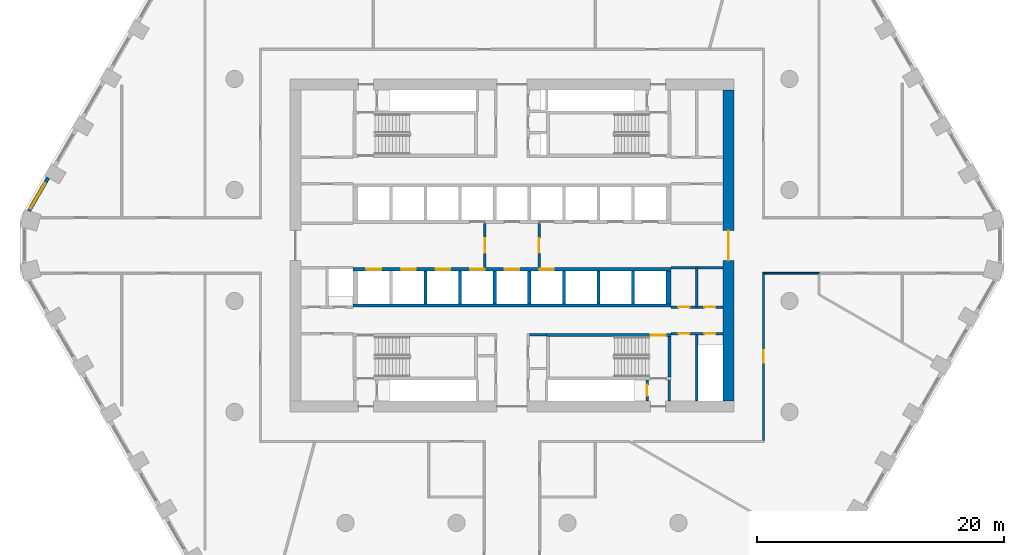
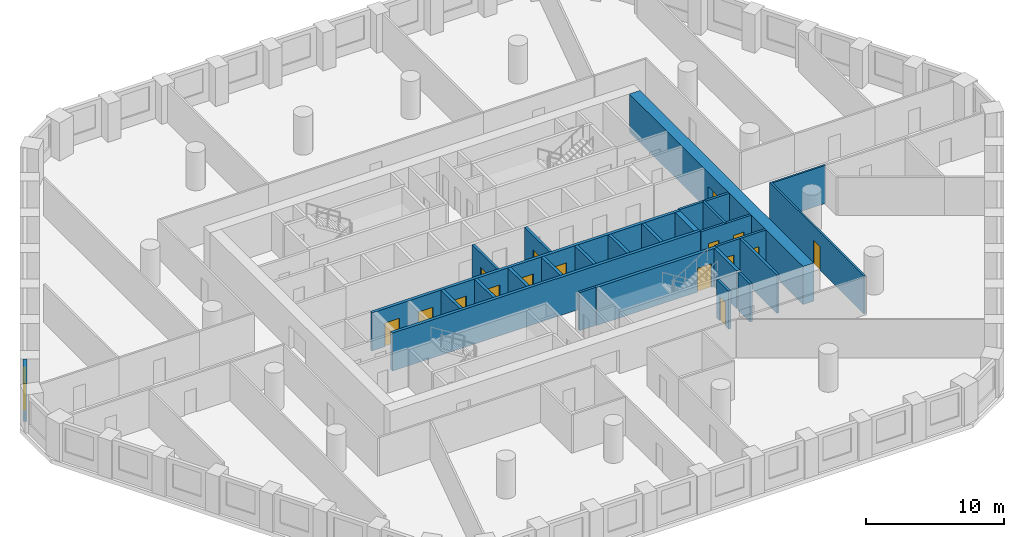
# One storey, part 4 of 10: 26 walls, 16 doors, 1 window, 17 openings.
"""IFC4 building model written with IfcOpenShell, lengths in metres."""

from ifc_helpers import new_model, si_unit, direction, frame, frame_2d, origin, place, context, subcontext, project, spatial, polyline, rectangle, outline, extrude, material, layer, layer_set, type_object, element, fill, save


model = new_model("IFC4")

# Units and contexts
model_context = context("Model", 3, precision=1e-05, world=origin(), true_north=direction((0.0, 1.0)))
body_context = subcontext(model_context, "Body", "Model", "MODEL_VIEW")
ifc_project = project(units=[si_unit("LENGTHUNIT", "METRE"), si_unit("AREAUNIT", "SQUARE_METRE"), si_unit("VOLUMEUNIT", "CUBIC_METRE"), si_unit("PLANEANGLEUNIT", "RADIAN"), si_unit("MASSUNIT", "GRAM", prefix="KILO")], contexts=[model_context])

# Site, building, storey
site_placement = place(None, origin())
site = spatial("IfcSite", under=ifc_project, at=site_placement, CompositionType="ELEMENT")
building_placement = place(site_placement, origin())
building = spatial("IfcBuilding", under=site, at=building_placement, Name="Dhurran Vertical Campus", CompositionType="ELEMENT")
storey_placement = place(building_placement, frame((0.0, 0.0, 72.89990234375)))
storey = spatial("IfcBuildingStorey", under=building, at=storey_placement, Name="L17", CompositionType="ELEMENT", Elevation=72.89990234375)

# Wall, opening, window
ifc_material_1 = material(Name="Precast concrete C50/60", Category="concrete")
ifc_layer_1 = layer(ifc_material_1, 0.300048828125)
ifc_layer_set_1 = layer_set([ifc_layer_1], Name="Precast concrete C50/60")
wall_type_1 = type_object("IfcWallType", Name="Precast spandrel wall 300", PredefinedType="SOLIDWALL", material=ifc_layer_set_1)
wall_1_placement = place(storey_placement, frame((-37.619384765625, 5.495361328125, 0.0), z_axis=(0.0, 0.0, 1.0), x_axis=(-0.49997090907, -0.866042198789, 0.0)))
wall_1 = element("IfcWall", 1, at=wall_1_placement, inside=storey, type_object=wall_type_1, Name="EW1 L17.42", PredefinedType="SOLIDWALL", context=body_context, shape_type="SweptSolid", body=[
    extrude(rectangle(XDim=3.090576171875, YDim=0.300048828125, at=frame_2d((1.54541015625, 0.0))), origin(), (0.0, 0.0, 1.0), 3.375),
])
opening_1_placement = place(wall_1_placement, frame((0.49951171875, 0.0, 0.89990234375)))
opening_1 = element("IfcOpeningElement", 2, at=opening_1_placement, cuts=wall_1, Name="Opening WT1", PredefinedType="OPENING", context=body_context, shape_type="SweptSolid", body=[
    extrude(rectangle(XDim=2.39990234375, YDim=2.10009765625, at=frame_2d((1.199951171875, 1.050048828125))), frame((0.0, 0.159912109375, 0.0), z_axis=(0.0, -1.0, 0.0), x_axis=(1.0, 0.0, 0.0)), (0.0, 0.0, 1.0), 0.320068359375),
])
ifc_material_2 = material(Name="Aluminium frame with solar-control glass", Category="aluminium")
window_type = type_object("IfcWindowType", Name="Punched window 2400 x 2100", PartitioningType="SINGLE_PANEL", PredefinedType="WINDOW", material=ifc_material_2)
window_placement = place(opening_1_placement, origin())
window = element("IfcWindow", 3, at=window_placement, inside=storey, type_object=window_type, Name="WT1 L17.42", OverallHeight=2.10009765625, OverallWidth=2.39990234375, PartitioningType="SINGLE_PANEL", PredefinedType="WINDOW", context=body_context, shape_type="SweptSolid", body=[
    extrude(rectangle(XDim=2.39990234375, YDim=2.10009765625, at=frame_2d((1.199951171875, 1.050048828125))), frame((0.0, 0.030029296875, 0.0), z_axis=(0.0, -1.0, 0.0), x_axis=(1.0, 0.0, 0.0)), (0.0, 0.0, 1.0), 0.06005859375),
])
fill(opening_1, window)

# Wall, opening, door
ifc_material_3 = material(Name="Concrete C60/75", Category="concrete")
ifc_layer_2 = layer(ifc_material_3, 0.89990234375)
ifc_layer_set_2 = layer_set([ifc_layer_2], Name="Concrete C60/75")
wall_type_2 = type_object("IfcWallType", Name="co-CORE-WALL-C0-900", PredefinedType="SHEAR", material=ifc_layer_set_2)
wall_2_placement = place(storey_placement, frame((17.550048828125, -12.60009765625, 0.0), z_axis=(0.0, 0.0, 1.0), x_axis=(0.0, 1.0, 0.0)))
wall_2 = element("IfcWall", 4, at=wall_2_placement, inside=storey, type_object=wall_type_2, Name="Core wall E L17", PredefinedType="SHEAR", context=body_context, shape_type="SweptSolid", body=[
    extrude(rectangle(XDim=25.2001953125, YDim=0.89990234375, at=frame_2d((12.60009765625, 0.0))), origin(), (0.0, 0.0, 1.0), 3.375),
])
opening_2_placement = place(wall_2_placement, frame((11.39990234375, 0.0, 0.0)))
opening_2 = element("IfcOpeningElement", 5, at=opening_2_placement, cuts=wall_2, Name="Opening CL2", PredefinedType="OPENING", context=body_context, shape_type="SweptSolid", body=[
    extrude(rectangle(XDim=2.39990234375, YDim=2.10009765625, at=frame_2d((1.199951171875, 1.050048828125))), frame((0.0, 0.4599609375, 0.0), z_axis=(0.0, -1.0, 0.0), x_axis=(1.0, 0.0, 0.0)), (0.0, 0.0, 1.0), 0.919921875),
])
ifc_material_4 = material(Name="Fire-rated glazed door set")
door_type_1 = type_object("IfcDoorType", Name="co-D-LOBBY 2400x2100", OperationType="DOUBLE_DOOR_DOUBLE_SWING", PredefinedType="DOOR", material=ifc_material_4)
door_1_placement = place(opening_2_placement, origin())
door_1 = element("IfcDoor", 6, at=door_1_placement, inside=storey, type_object=door_type_1, Name="Lift lobby door E L17", OperationType="DOUBLE_DOOR_DOUBLE_SWING", OverallHeight=2.10009765625, OverallWidth=2.39990234375, PredefinedType="DOOR", context=body_context, shape_type="SweptSolid", body=[
    extrude(rectangle(XDim=2.39990234375, YDim=2.10009765625, at=frame_2d((1.199951171875, 1.050048828125))), frame((0.0, 0.02490234375, 0.0), z_axis=(0.0, -1.0, 0.0), x_axis=(1.0, 0.0, 0.0)), (0.0, 0.0, 1.0), 0.050048828125),
])
fill(opening_2, door_1)

ifc_material_5 = material(Name="Fire-rated masonry blockwork", Category="masonry")
ifc_layer_3 = layer(ifc_material_5, 0.199951171875)
ifc_layer_set_3 = layer_set([ifc_layer_3], Name="Fire-rated masonry blockwork")
wall_type_3 = type_object("IfcWallType", Name="co-FIRE-PARTITION-200", PredefinedType="PARTITIONING", material=ifc_layer_set_3)
wall_3_placement = place(storey_placement, frame((-2.199951171875, -1.800048828125, 0.0), z_axis=(0.0, 0.0, 1.0), x_axis=(0.0, 1.0, 0.0)))
wall_3 = element("IfcWall", 7, at=wall_3_placement, inside=storey, type_object=wall_type_3, Name="Firefighting lobby wall W L17", PredefinedType="PARTITIONING", context=body_context, shape_type="SweptSolid", body=[
    extrude(rectangle(XDim=3.60009765625, YDim=0.199951171875, at=frame_2d((1.800048828125, 0.0))), origin(), (0.0, 0.0, 1.0), 3.375),
])
opening_3_placement = place(wall_3_placement, frame((1.199951171875, 0.0, 0.0)))
opening_3 = element("IfcOpeningElement", 8, at=opening_3_placement, cuts=wall_3, Name="Opening FL1", PredefinedType="OPENING", context=body_context, shape_type="SweptSolid", body=[
    extrude(rectangle(XDim=1.199951171875, YDim=2.10009765625, at=frame_2d((0.60009765625, 1.050048828125))), frame((0.0, 0.10986328125, 0.0), z_axis=(0.0, -1.0, 0.0), x_axis=(1.0, 0.0, 0.0)), (0.0, 0.0, 1.0), 0.219970703125),
])
ifc_material_6 = material(Name="Fire-rated steel door set", Category="steel")
door_type_2 = type_object("IfcDoorType", Name="co-D-FFLOBBY 1200x2100", OperationType="SINGLE_SWING_LEFT", PredefinedType="DOOR", material=ifc_material_6)
door_2_placement = place(opening_3_placement, origin())
door_2 = element("IfcDoor", 9, at=door_2_placement, inside=storey, type_object=door_type_2, Name="Firefighting lobby door W L17", OperationType="SINGLE_SWING_LEFT", OverallHeight=2.10009765625, OverallWidth=1.199951171875, PredefinedType="DOOR", context=body_context, shape_type="SweptSolid", body=[
    extrude(rectangle(XDim=1.199951171875, YDim=2.10009765625, at=frame_2d((0.60009765625, 1.050048828125))), frame((0.0, 0.02490234375, 0.0), z_axis=(0.0, -1.0, 0.0), x_axis=(1.0, 0.0, 0.0)), (0.0, 0.0, 1.0), 0.050048828125),
])
fill(opening_3, door_2)

wall_4_placement = place(storey_placement, frame((2.199951171875, -1.800048828125, 0.0), z_axis=(0.0, 0.0, 1.0), x_axis=(0.0, 1.0, 0.0)))
wall_4 = element("IfcWall", 10, at=wall_4_placement, inside=storey, type_object=wall_type_3, Name="Firefighting lobby wall E L17", PredefinedType="PARTITIONING", context=body_context, shape_type="SweptSolid", body=[
    extrude(rectangle(XDim=3.60009765625, YDim=0.199951171875, at=frame_2d((1.800048828125, 0.0))), origin(), (0.0, 0.0, 1.0), 3.375),
])
opening_4_placement = place(wall_4_placement, frame((1.199951171875, 0.0, 0.0)))
opening_4 = element("IfcOpeningElement", 11, at=opening_4_placement, cuts=wall_4, Name="Opening FL2", PredefinedType="OPENING", context=body_context, shape_type="SweptSolid", body=[
    extrude(rectangle(XDim=1.199951171875, YDim=2.10009765625, at=frame_2d((0.60009765625, 1.050048828125))), frame((0.0, 0.10986328125, 0.0), z_axis=(0.0, -1.0, 0.0), x_axis=(1.0, 0.0, 0.0)), (0.0, 0.0, 1.0), 0.219970703125),
])
door_3_placement = place(opening_4_placement, origin())
door_3 = element("IfcDoor", 12, at=door_3_placement, inside=storey, type_object=door_type_2, Name="Firefighting lobby door E L17", OperationType="SINGLE_SWING_LEFT", OverallHeight=2.10009765625, OverallWidth=1.199951171875, PredefinedType="DOOR", context=body_context, shape_type="SweptSolid", body=[
    extrude(rectangle(XDim=1.199951171875, YDim=2.10009765625, at=frame_2d((0.60009765625, 1.050048828125))), frame((0.0, 0.02490234375, 0.0), z_axis=(0.0, -1.0, 0.0), x_axis=(1.0, 0.0, 0.0)), (0.0, 0.0, 1.0), 0.050048828125),
])
fill(opening_4, door_3)

# Walls
wall_5_placement = place(storey_placement, frame((1.39990234375, -7.25, 0.0), z_axis=(0.0, 0.0, 1.0), x_axis=(1.0, 0.0, 0.0)))
element("IfcWall", 13, at=wall_5_placement, inside=storey, type_object=wall_type_3, Name="Core partition sl-SE-S L17", PredefinedType="PARTITIONING", context=body_context, shape_type="SweptSolid", body=[
    extrude(rectangle(XDim=1.400146484375, YDim=0.199951171875, at=frame_2d((0.7001953125, 0.0))), origin(), (0.0, 0.0, 1.0), 3.375),
])
wall_6_placement = place(storey_placement, frame((12.75, -12.60009765625, 0.0), z_axis=(0.0, 0.0, 1.0), x_axis=(0.0, 1.0, 0.0)))
element("IfcWall", 14, at=wall_6_placement, inside=storey, type_object=wall_type_3, Name="Core partition pass-ST4-o L17", PredefinedType="PARTITIONING", context=body_context, shape_type="SweptSolid", body=[
    extrude(rectangle(XDim=1.7001953125, YDim=0.199951171875, at=frame_2d((0.85009765625, 0.0))), origin(), (0.0, 0.0, 1.0), 3.375),
])

# Wall, opening, door
wall_7_placement = place(storey_placement, frame((10.949951171875, -12.60009765625, 0.0), z_axis=(0.0, 0.0, 1.0), x_axis=(0.0, 1.0, 0.0)))
wall_7 = element("IfcWall", 15, at=wall_7_placement, inside=storey, type_object=wall_type_3, Name="Core partition pass-ST4-i L17", PredefinedType="PARTITIONING", context=body_context, shape_type="SweptSolid", body=[
    extrude(rectangle(XDim=1.7001953125, YDim=0.199951171875, at=frame_2d((0.85009765625, 0.0))), origin(), (0.0, 0.0, 1.0), 3.375),
])
opening_5_placement = place(wall_7_placement, frame((0.39990234375, 0.0, 0.0)))
opening_5 = element("IfcOpeningElement", 16, at=opening_5_placement, cuts=wall_7, Name="Opening T04-C12", PredefinedType="OPENING", context=body_context, shape_type="SweptSolid", body=[
    extrude(rectangle(XDim=0.89990234375, YDim=2.10009765625, at=frame_2d((0.449951171875, 1.050048828125))), frame((0.0, 0.10986328125, 0.0), z_axis=(0.0, -1.0, 0.0), x_axis=(1.0, 0.0, 0.0)), (0.0, 0.0, 1.0), 0.219970703125),
])
ifc_material_7 = material(Name="Fire-rated timber door set", Category="wood")
door_type_3 = type_object("IfcDoorType", Name="co-D-ROOM 900x2100", OperationType="SINGLE_SWING_LEFT", PredefinedType="DOOR", material=ifc_material_7)
door_4_placement = place(opening_5_placement, origin())
door_4 = element("IfcDoor", 17, at=door_4_placement, inside=storey, type_object=door_type_3, Name="Riser room door L17", OperationType="SINGLE_SWING_LEFT", OverallHeight=2.10009765625, OverallWidth=0.89990234375, PredefinedType="DOOR", context=body_context, shape_type="SweptSolid", body=[
    extrude(rectangle(XDim=0.89990234375, YDim=2.10009765625, at=frame_2d((0.449951171875, 1.050048828125))), frame((0.0, 0.02490234375, 0.0), z_axis=(0.0, -1.0, 0.0), x_axis=(1.0, 0.0, 0.0)), (0.0, 0.0, 1.0), 0.050048828125),
])
fill(opening_5, door_4)

# Wall
wall_8_placement = place(storey_placement, frame((15.0, -12.60009765625, 0.0), z_axis=(0.0, 0.0, 1.0), x_axis=(0.0, 1.0, 0.0)))
element("IfcWall", 18, at=wall_8_placement, inside=storey, type_object=wall_type_3, Name="Core partition en-SE-cut0 L17", PredefinedType="PARTITIONING", context=body_context, shape_type="SweptSolid", body=[
    extrude(rectangle(XDim=5.4501953125, YDim=0.199951171875, at=frame_2d((2.72509765625, 0.0))), origin(), (0.0, 0.0, 1.0), 3.375),
])

# Wall, openings, doors
wall_9_placement = place(storey_placement, frame((12.89990234375, -7.14990234375, 0.0), z_axis=(0.0, 0.0, 1.0), x_axis=(1.0, 0.0, 0.0)))
wall_9 = element("IfcWall", 19, at=wall_9_placement, inside=storey, type_object=wall_type_3, Name="Core partition en-SE-w L17", PredefinedType="PARTITIONING", context=body_context, shape_type="SweptSolid", body=[
    extrude(rectangle(XDim=4.2001953125, YDim=0.199951171875, at=frame_2d((2.10009765625, 0.0))), origin(), (0.0, 0.0, 1.0), 3.375),
])
opening_6_placement = place(wall_9_placement, frame((0.60009765625, 0.0, 0.0)))
opening_6 = element("IfcOpeningElement", 20, at=opening_6_placement, cuts=wall_9, Name="Opening T04-C21", PredefinedType="OPENING", context=body_context, shape_type="SweptSolid", body=[
    extrude(rectangle(XDim=0.89990234375, YDim=2.10009765625, at=frame_2d((0.449951171875, 1.050048828125))), frame((0.0, 0.10986328125, 0.0), z_axis=(0.0, -1.0, 0.0), x_axis=(1.0, 0.0, 0.0)), (0.0, 0.0, 1.0), 0.219970703125),
])
opening_7_placement = place(wall_9_placement, frame((2.699951171875, 0.0, 0.0)))
opening_7 = element("IfcOpeningElement", 21, at=opening_7_placement, cuts=wall_9, Name="Opening T04-C22", PredefinedType="OPENING", context=body_context, shape_type="SweptSolid", body=[
    extrude(rectangle(XDim=0.89990234375, YDim=2.10009765625, at=frame_2d((0.449951171875, 1.050048828125))), frame((0.0, 0.10986328125, 0.0), z_axis=(0.0, -1.0, 0.0), x_axis=(1.0, 0.0, 0.0)), (0.0, 0.0, 1.0), 0.219970703125),
])
door_5_placement = place(opening_6_placement, origin())
door_5 = element("IfcDoor", 22, at=door_5_placement, inside=storey, type_object=door_type_3, Name="Store door L17", OperationType="SINGLE_SWING_LEFT", OverallHeight=2.10009765625, OverallWidth=0.89990234375, PredefinedType="DOOR", context=body_context, shape_type="SweptSolid", body=[
    extrude(rectangle(XDim=0.89990234375, YDim=2.10009765625, at=frame_2d((0.449951171875, 1.050048828125))), frame((0.0, 0.02490234375, 0.0), z_axis=(0.0, -1.0, 0.0), x_axis=(1.0, 0.0, 0.0)), (0.0, 0.0, 1.0), 0.050048828125),
])
fill(opening_6, door_5)
door_6_placement = place(opening_7_placement, origin())
door_6 = element("IfcDoor", 23, at=door_6_placement, inside=storey, type_object=door_type_3, Name="Electrical riser door L17", OperationType="SINGLE_SWING_LEFT", OverallHeight=2.10009765625, OverallWidth=0.89990234375, PredefinedType="DOOR", context=body_context, shape_type="SweptSolid", body=[
    extrude(rectangle(XDim=0.89990234375, YDim=2.10009765625, at=frame_2d((0.449951171875, 1.050048828125))), frame((0.0, 0.02490234375, 0.0), z_axis=(0.0, -1.0, 0.0), x_axis=(1.0, 0.0, 0.0)), (0.0, 0.0, 1.0), 0.050048828125),
])
fill(opening_7, door_6)

# Wall
wall_10_placement = place(storey_placement, frame((15.0, -5.0, 0.0), z_axis=(0.0, 0.0, 1.0), x_axis=(0.0, 1.0, 0.0)))
element("IfcWall", 24, at=wall_10_placement, inside=storey, type_object=wall_type_3, Name="Core partition es-SE-cut0 L17", PredefinedType="PARTITIONING", context=body_context, shape_type="SweptSolid", body=[
    extrude(rectangle(XDim=3.199951171875, YDim=0.199951171875, at=frame_2d((1.60009765625, 0.0))), origin(), (0.0, 0.0, 1.0), 3.375),
])

# Wall, openings, doors
wall_11_placement = place(storey_placement, frame((12.89990234375, -5.0, 0.0), z_axis=(0.0, 0.0, 1.0), x_axis=(1.0, 0.0, 0.0)))
wall_11 = element("IfcWall", 25, at=wall_11_placement, inside=storey, type_object=wall_type_3, Name="Core partition es-SE-w L17", PredefinedType="PARTITIONING", context=body_context, shape_type="SweptSolid", body=[
    extrude(rectangle(XDim=4.2001953125, YDim=0.199951171875, at=frame_2d((2.10009765625, 0.0))), origin(), (0.0, 0.0, 1.0), 3.375),
])
opening_8_placement = place(wall_11_placement, frame((0.60009765625, 0.0, 0.0)))
opening_8 = element("IfcOpeningElement", 26, at=opening_8_placement, cuts=wall_11, Name="Opening T04-C23", PredefinedType="OPENING", context=body_context, shape_type="SweptSolid", body=[
    extrude(rectangle(XDim=0.89990234375, YDim=2.10009765625, at=frame_2d((0.449951171875, 1.050048828125))), frame((0.0, 0.10986328125, 0.0), z_axis=(0.0, -1.0, 0.0), x_axis=(1.0, 0.0, 0.0)), (0.0, 0.0, 1.0), 0.219970703125),
])
opening_9_placement = place(wall_11_placement, frame((2.699951171875, 0.0, 0.0)))
opening_9 = element("IfcOpeningElement", 27, at=opening_9_placement, cuts=wall_11, Name="Opening T04-C24", PredefinedType="OPENING", context=body_context, shape_type="SweptSolid", body=[
    extrude(rectangle(XDim=0.89990234375, YDim=2.10009765625, at=frame_2d((0.449951171875, 1.050048828125))), frame((0.0, 0.10986328125, 0.0), z_axis=(0.0, -1.0, 0.0), x_axis=(1.0, 0.0, 0.0)), (0.0, 0.0, 1.0), 0.219970703125),
])
door_7_placement = place(opening_8_placement, origin())
door_7 = element("IfcDoor", 28, at=door_7_placement, inside=storey, type_object=door_type_3, Name="Pantry door L17", OperationType="SINGLE_SWING_LEFT", OverallHeight=2.10009765625, OverallWidth=0.89990234375, PredefinedType="DOOR", context=body_context, shape_type="SweptSolid", body=[
    extrude(rectangle(XDim=0.89990234375, YDim=2.10009765625, at=frame_2d((0.449951171875, 1.050048828125))), frame((0.0, 0.02490234375, 0.0), z_axis=(0.0, -1.0, 0.0), x_axis=(1.0, 0.0, 0.0)), (0.0, 0.0, 1.0), 0.050048828125),
])
fill(opening_8, door_7)
door_8_placement = place(opening_9_placement, origin())
door_8 = element("IfcDoor", 29, at=door_8_placement, inside=storey, type_object=door_type_3, Name="Pantry door L17", OperationType="SINGLE_SWING_LEFT", OverallHeight=2.10009765625, OverallWidth=0.89990234375, PredefinedType="DOOR", context=body_context, shape_type="SweptSolid", body=[
    extrude(rectangle(XDim=0.89990234375, YDim=2.10009765625, at=frame_2d((0.449951171875, 1.050048828125))), frame((0.0, 0.02490234375, 0.0), z_axis=(0.0, -1.0, 0.0), x_axis=(1.0, 0.0, 0.0)), (0.0, 0.0, 1.0), 0.050048828125),
])
fill(opening_9, door_8)

# Wall
wall_12_placement = place(storey_placement, frame((12.89990234375, -1.800048828125, 0.0), z_axis=(0.0, 0.0, 1.0), x_axis=(1.0, 0.0, 0.0)))
element("IfcWall", 30, at=wall_12_placement, inside=storey, type_object=wall_type_3, Name="Core partition es-SE-l L17", PredefinedType="PARTITIONING", context=body_context, shape_type="SweptSolid", body=[
    extrude(rectangle(XDim=4.2001953125, YDim=0.199951171875, at=frame_2d((2.10009765625, 0.0))), origin(), (0.0, 0.0, 1.0), 3.375),
])

# Wall, openings, doors
ifc_material_8 = material(Name="Concrete C50/60", Category="concrete")
ifc_layer_4 = layer(ifc_material_8, 0.25)
ifc_layer_set_4 = layer_set([ifc_layer_4], Name="Concrete C50/60")
wall_type_4 = type_object("IfcWallType", Name="co-SHAFT-FRONT-250", PredefinedType="SHEAR", material=ifc_layer_set_4)
wall_13_placement = place(storey_placement, frame((-12.89990234375, -1.925048828125, 0.0), z_axis=(0.0, 0.0, 1.0), x_axis=(1.0, 0.0, 0.0)))
wall_13 = element("IfcWall", 31, at=wall_13_placement, inside=storey, type_object=wall_type_4, Name="Lift landing wall S L17", PredefinedType="SHEAR", context=body_context, shape_type="SweptSolid", body=[
    extrude(rectangle(XDim=25.7998046875, YDim=0.25, at=frame_2d((12.89990234375, 0.0))), origin(), (0.0, 0.0, 1.0), 3.375),
])
opening_10_placement = place(wall_13_placement, frame((1.10009765625, 0.0, 0.0)))
opening_10 = element("IfcOpeningElement", 32, at=opening_10_placement, cuts=wall_13, Name="Opening LD", PredefinedType="OPENING", context=body_context, shape_type="SweptSolid", body=[
    extrude(rectangle(XDim=1.199951171875, YDim=2.10009765625, at=frame_2d((0.60009765625, 1.050048828125))), frame((0.0, 0.135009765625, 0.0), z_axis=(0.0, -1.0, 0.0), x_axis=(1.0, 0.0, 0.0)), (0.0, 0.0, 1.0), 0.27001953125),
])
opening_11_placement = place(wall_13_placement, frame((3.89990234375, 0.0, 0.0)))
opening_11 = element("IfcOpeningElement", 33, at=opening_11_placement, cuts=wall_13, Name="Opening LD", PredefinedType="OPENING", context=body_context, shape_type="SweptSolid", body=[
    extrude(rectangle(XDim=1.199951171875, YDim=2.10009765625, at=frame_2d((0.60009765625, 1.050048828125))), frame((0.0, 0.135009765625, 0.0), z_axis=(0.0, -1.0, 0.0), x_axis=(1.0, 0.0, 0.0)), (0.0, 0.0, 1.0), 0.27001953125),
])
opening_12_placement = place(wall_13_placement, frame((6.699951171875, 0.0, 0.0)))
opening_12 = element("IfcOpeningElement", 34, at=opening_12_placement, cuts=wall_13, Name="Opening LD", PredefinedType="OPENING", context=body_context, shape_type="SweptSolid", body=[
    extrude(rectangle(XDim=1.199951171875, YDim=2.10009765625, at=frame_2d((0.60009765625, 1.050048828125))), frame((0.0, 0.135009765625, 0.0), z_axis=(0.0, -1.0, 0.0), x_axis=(1.0, 0.0, 0.0)), (0.0, 0.0, 1.0), 0.27001953125),
])
opening_13_placement = place(wall_13_placement, frame((9.5, 0.0, 0.0)))
opening_13 = element("IfcOpeningElement", 35, at=opening_13_placement, cuts=wall_13, Name="Opening LD", PredefinedType="OPENING", context=body_context, shape_type="SweptSolid", body=[
    extrude(rectangle(XDim=1.199951171875, YDim=2.10009765625, at=frame_2d((0.60009765625, 1.050048828125))), frame((0.0, 0.135009765625, 0.0), z_axis=(0.0, -1.0, 0.0), x_axis=(1.0, 0.0, 0.0)), (0.0, 0.0, 1.0), 0.27001953125),
])
opening_14_placement = place(wall_13_placement, frame((12.300048828125, 0.0, 0.0)))
opening_14 = element("IfcOpeningElement", 36, at=opening_14_placement, cuts=wall_13, Name="Opening LD", PredefinedType="OPENING", context=body_context, shape_type="SweptSolid", body=[
    extrude(rectangle(XDim=1.199951171875, YDim=2.10009765625, at=frame_2d((0.60009765625, 1.050048828125))), frame((0.0, 0.135009765625, 0.0), z_axis=(0.0, -1.0, 0.0), x_axis=(1.0, 0.0, 0.0)), (0.0, 0.0, 1.0), 0.27001953125),
])
opening_15_placement = place(wall_13_placement, frame((15.10009765625, 0.0, 0.0)))
opening_15 = element("IfcOpeningElement", 37, at=opening_15_placement, cuts=wall_13, Name="Opening LD", PredefinedType="OPENING", context=body_context, shape_type="SweptSolid", body=[
    extrude(rectangle(XDim=1.199951171875, YDim=2.10009765625, at=frame_2d((0.60009765625, 1.050048828125))), frame((0.0, 0.135009765625, 0.0), z_axis=(0.0, -1.0, 0.0), x_axis=(1.0, 0.0, 0.0)), (0.0, 0.0, 1.0), 0.27001953125),
])
ifc_material_9 = material(Name="Stainless steel landing door", Category="steel")
door_type_4 = type_object("IfcDoorType", Name="co-D-LANDING 1200x2100", OperationType="DOUBLE_DOOR_SLIDING", PredefinedType="DOOR", material=ifc_material_9)
door_9_placement = place(opening_10_placement, origin())
door_9 = element("IfcDoor", 38, at=door_9_placement, inside=storey, type_object=door_type_4, Name="Landing door LR5 L17", OperationType="DOUBLE_DOOR_SLIDING", OverallHeight=2.10009765625, OverallWidth=1.199951171875, PredefinedType="DOOR", context=body_context, shape_type="SweptSolid", body=[
    extrude(rectangle(XDim=1.199951171875, YDim=2.10009765625, at=frame_2d((0.60009765625, 1.050048828125))), frame((0.0, 0.02490234375, 0.0), z_axis=(0.0, -1.0, 0.0), x_axis=(1.0, 0.0, 0.0)), (0.0, 0.0, 1.0), 0.050048828125),
])
fill(opening_10, door_9)
door_10_placement = place(opening_11_placement, origin())
door_10 = element("IfcDoor", 39, at=door_10_placement, inside=storey, type_object=door_type_4, Name="Landing door LR6 L17", OperationType="DOUBLE_DOOR_SLIDING", OverallHeight=2.10009765625, OverallWidth=1.199951171875, PredefinedType="DOOR", context=body_context, shape_type="SweptSolid", body=[
    extrude(rectangle(XDim=1.199951171875, YDim=2.10009765625, at=frame_2d((0.60009765625, 1.050048828125))), frame((0.0, 0.02490234375, 0.0), z_axis=(0.0, -1.0, 0.0), x_axis=(1.0, 0.0, 0.0)), (0.0, 0.0, 1.0), 0.050048828125),
])
fill(opening_11, door_10)
door_11_placement = place(opening_12_placement, origin())
door_11 = element("IfcDoor", 40, at=door_11_placement, inside=storey, type_object=door_type_4, Name="Landing door LR7 L17", OperationType="DOUBLE_DOOR_SLIDING", OverallHeight=2.10009765625, OverallWidth=1.199951171875, PredefinedType="DOOR", context=body_context, shape_type="SweptSolid", body=[
    extrude(rectangle(XDim=1.199951171875, YDim=2.10009765625, at=frame_2d((0.60009765625, 1.050048828125))), frame((0.0, 0.02490234375, 0.0), z_axis=(0.0, -1.0, 0.0), x_axis=(1.0, 0.0, 0.0)), (0.0, 0.0, 1.0), 0.050048828125),
])
fill(opening_12, door_11)
door_12_placement = place(opening_13_placement, origin())
door_12 = element("IfcDoor", 41, at=door_12_placement, inside=storey, type_object=door_type_4, Name="Landing door LR8 L17", OperationType="DOUBLE_DOOR_SLIDING", OverallHeight=2.10009765625, OverallWidth=1.199951171875, PredefinedType="DOOR", context=body_context, shape_type="SweptSolid", body=[
    extrude(rectangle(XDim=1.199951171875, YDim=2.10009765625, at=frame_2d((0.60009765625, 1.050048828125))), frame((0.0, 0.02490234375, 0.0), z_axis=(0.0, -1.0, 0.0), x_axis=(1.0, 0.0, 0.0)), (0.0, 0.0, 1.0), 0.050048828125),
])
fill(opening_13, door_12)
door_13_placement = place(opening_14_placement, origin())
door_13 = element("IfcDoor", 42, at=door_13_placement, inside=storey, type_object=door_type_4, Name="Landing door FF2 L17", OperationType="DOUBLE_DOOR_SLIDING", OverallHeight=2.10009765625, OverallWidth=1.199951171875, PredefinedType="DOOR", context=body_context, shape_type="SweptSolid", body=[
    extrude(rectangle(XDim=1.199951171875, YDim=2.10009765625, at=frame_2d((0.60009765625, 1.050048828125))), frame((0.0, 0.02490234375, 0.0), z_axis=(0.0, -1.0, 0.0), x_axis=(1.0, 0.0, 0.0)), (0.0, 0.0, 1.0), 0.050048828125),
])
fill(opening_14, door_13)
door_14_placement = place(opening_15_placement, origin())
door_14 = element("IfcDoor", 43, at=door_14_placement, inside=storey, type_object=door_type_4, Name="Landing door SV1 L17", OperationType="DOUBLE_DOOR_SLIDING", OverallHeight=2.10009765625, OverallWidth=1.199951171875, PredefinedType="DOOR", context=body_context, shape_type="SweptSolid", body=[
    extrude(rectangle(XDim=1.199951171875, YDim=2.10009765625, at=frame_2d((0.60009765625, 1.050048828125))), frame((0.0, 0.02490234375, 0.0), z_axis=(0.0, -1.0, 0.0), x_axis=(1.0, 0.0, 0.0)), (0.0, 0.0, 1.0), 0.050048828125),
])
fill(opening_15, door_14)

# Walls
ifc_material_10 = material(Name="Concrete C50/60", Category="concrete")
ifc_layer_5 = layer(ifc_material_10, 0.25)
ifc_layer_set_5 = layer_set([ifc_layer_5], Name="Concrete C50/60")
wall_type_5 = type_object("IfcWallType", Name="co-SHAFT-MASS-250", PredefinedType="SHEAR", material=ifc_layer_set_5)
wall_14_placement = place(storey_placement, origin())
element("IfcWall", 44, at=wall_14_placement, inside=storey, type_object=wall_type_5, Name="Lift shaft wall S L17 1", PredefinedType="SHEAR", context=body_context, shape_type="SweptSolid", body=[
    extrude(outline(polyline([(-12.89990234375, -5.0), (12.89990234375, -5.0), (12.89990234375, -4.75), (-12.89990234375, -4.75), (-12.89990234375, -5.0)])), origin(), (0.0, 0.0, 1.0), 3.375),
])
wall_15_placement = place(storey_placement, origin())
element("IfcWall", 45, at=wall_15_placement, inside=storey, type_object=wall_type_5, Name="Lift shaft wall S L17 4", PredefinedType="SHEAR", context=body_context, shape_type="SweptSolid", body=[
    extrude(outline(polyline([(-7.125, -4.75), (-6.875, -4.75), (-6.875, -2.050048828125), (-7.125, -2.050048828125), (-7.125, -4.75)])), origin(), (0.0, 0.0, 1.0), 3.375),
])
wall_16_placement = place(storey_placement, origin())
element("IfcWall", 46, at=wall_16_placement, inside=storey, type_object=wall_type_5, Name="Lift shaft wall S L17 5", PredefinedType="SHEAR", context=body_context, shape_type="SweptSolid", body=[
    extrude(outline(polyline([(-4.324951171875, -4.75), (-4.074951171875, -4.75), (-4.074951171875, -2.050048828125), (-4.324951171875, -2.050048828125), (-4.324951171875, -4.75)])), origin(), (0.0, 0.0, 1.0), 3.375),
])
wall_17_placement = place(storey_placement, origin())
element("IfcWall", 47, at=wall_17_placement, inside=storey, type_object=wall_type_5, Name="Lift shaft wall S L17 6", PredefinedType="SHEAR", context=body_context, shape_type="SweptSolid", body=[
    extrude(outline(polyline([(-1.52490234375, -4.75), (-1.27490234375, -4.75), (-1.27490234375, -2.050048828125), (-1.52490234375, -2.050048828125), (-1.52490234375, -4.75)])), origin(), (0.0, 0.0, 1.0), 3.375),
])
wall_18_placement = place(storey_placement, origin())
element("IfcWall", 48, at=wall_18_placement, inside=storey, type_object=wall_type_5, Name="Lift shaft wall S L17 7", PredefinedType="SHEAR", context=body_context, shape_type="SweptSolid", body=[
    extrude(outline(polyline([(1.27490234375, -4.75), (1.52490234375, -4.75), (1.52490234375, -2.050048828125), (1.27490234375, -2.050048828125), (1.27490234375, -4.75)])), origin(), (0.0, 0.0, 1.0), 3.375),
])
wall_19_placement = place(storey_placement, origin())
element("IfcWall", 49, at=wall_19_placement, inside=storey, type_object=wall_type_5, Name="Lift shaft wall S L17 8", PredefinedType="SHEAR", context=body_context, shape_type="SweptSolid", body=[
    extrude(outline(polyline([(4.074951171875, -4.75), (4.324951171875, -4.75), (4.324951171875, -2.050048828125), (4.074951171875, -2.050048828125), (4.074951171875, -4.75)])), origin(), (0.0, 0.0, 1.0), 3.375),
])
wall_20_placement = place(storey_placement, origin())
element("IfcWall", 50, at=wall_20_placement, inside=storey, type_object=wall_type_5, Name="Lift shaft wall S L17 9", PredefinedType="SHEAR", context=body_context, shape_type="SweptSolid", body=[
    extrude(outline(polyline([(6.875, -4.75), (7.125, -4.75), (7.125, -2.050048828125), (6.875, -2.050048828125), (6.875, -4.75)])), origin(), (0.0, 0.0, 1.0), 3.375),
])
wall_21_placement = place(storey_placement, origin())
element("IfcWall", 51, at=wall_21_placement, inside=storey, type_object=wall_type_5, Name="Lift shaft wall S L17 10", PredefinedType="SHEAR", context=body_context, shape_type="SweptSolid", body=[
    extrude(outline(polyline([(9.675048828125, -4.75), (9.925048828125, -4.75), (9.925048828125, -2.050048828125), (9.675048828125, -2.050048828125), (9.675048828125, -4.75)])), origin(), (0.0, 0.0, 1.0), 3.375),
])
wall_22_placement = place(storey_placement, origin())
element("IfcWall", 52, at=wall_22_placement, inside=storey, type_object=wall_type_5, Name="Lift shaft wall S L17 11", PredefinedType="SHEAR", context=body_context, shape_type="SweptSolid", body=[
    extrude(outline(polyline([(12.47509765625, -4.75), (12.89990234375, -4.75), (12.89990234375, -2.050048828125), (12.47509765625, -2.050048828125), (12.47509765625, -4.75)])), origin(), (0.0, 0.0, 1.0), 3.375),
])

# Wall, opening, door
ifc_material_11 = material(Name="Concrete C40/50", Category="concrete")
ifc_layer_6 = layer(ifc_material_11, 0.25)
ifc_layer_set_6 = layer_set([ifc_layer_6], Name="Concrete C40/50")
wall_type_6 = type_object("IfcWallType", Name="co-STAIR-WALL-250", PredefinedType="SHEAR", material=ifc_layer_set_6)
wall_23_placement = place(storey_placement, frame((2.800048828125, -7.27490234375, 0.0), z_axis=(0.0, 0.0, 1.0), x_axis=(1.0, 0.0, 0.0)))
wall_23 = element("IfcWall", 53, at=wall_23_placement, inside=storey, type_object=wall_type_6, Name="Stair ST4 enclosure wall L17", PredefinedType="SHEAR", context=body_context, shape_type="SweptSolid", body=[
    extrude(rectangle(XDim=10.099853515625, YDim=0.25, at=frame_2d((5.0498046875, 0.0))), origin(), (0.0, 0.0, 1.0), 3.375),
])
opening_16_placement = place(wall_23_placement, frame((8.449951171875, 0.0, 0.0)))
opening_16 = element("IfcOpeningElement", 54, at=opening_16_placement, cuts=wall_23, Name="Opening SD4", PredefinedType="OPENING", context=body_context, shape_type="SweptSolid", body=[
    extrude(rectangle(XDim=1.199951171875, YDim=2.10009765625, at=frame_2d((0.60009765625, 1.050048828125))), frame((0.0, 0.135009765625, 0.0), z_axis=(0.0, -1.0, 0.0), x_axis=(1.0, 0.0, 0.0)), (0.0, 0.0, 1.0), 0.27001953125),
])
ifc_material_12 = material(Name="Fire-rated steel door set", Category="steel")
door_type_5 = type_object("IfcDoorType", Name="co-D-STAIR 1200x2100", OperationType="SINGLE_SWING_LEFT", PredefinedType="DOOR", material=ifc_material_12)
door_15_placement = place(opening_16_placement, origin())
door_15 = element("IfcDoor", 55, at=door_15_placement, inside=storey, type_object=door_type_5, Name="Stair ST4 door L17", OperationType="SINGLE_SWING_LEFT", OverallHeight=2.10009765625, OverallWidth=1.199951171875, PredefinedType="DOOR", context=body_context, shape_type="SweptSolid", body=[
    extrude(rectangle(XDim=1.199951171875, YDim=2.10009765625, at=frame_2d((0.60009765625, 1.050048828125))), frame((0.0, 0.02490234375, 0.0), z_axis=(0.0, -1.0, 0.0), x_axis=(1.0, 0.0, 0.0)), (0.0, 0.0, 1.0), 0.050048828125),
])
fill(opening_16, door_15)

# Wall
wall_24_placement = place(storey_placement, frame((12.77490234375, -10.64990234375, 0.0), z_axis=(0.0, 0.0, 1.0), x_axis=(0.0, 1.0, 0.0)))
element("IfcWall", 56, at=wall_24_placement, inside=storey, type_object=wall_type_6, Name="Stair ST4 enclosure wall L17", PredefinedType="SHEAR", context=body_context, shape_type="SweptSolid", body=[
    extrude(rectangle(XDim=3.25, YDim=0.25, at=frame_2d((1.625, 0.0))), origin(), (0.0, 0.0, 1.0), 3.375),
])

# Wall, opening, door
ifc_material_13 = material(Name="Gypsum board corridor wall on steel studs", Category="steel")
ifc_layer_7 = layer(ifc_material_13, 0.14990234375)
ifc_layer_set_7 = layer_set([ifc_layer_7], Name="Gypsum board corridor wall on steel studs")
wall_type_7 = type_object("IfcWallType", Name="fl-CW-150 corridor wall", PredefinedType="PARTITIONING", material=ifc_layer_set_7)
wall_25_placement = place(storey_placement, frame((20.39990234375, -15.824951171875, 0.0), z_axis=(0.0, 0.0, 1.0), x_axis=(0.0, 1.0, 0.0)))
wall_25 = element("IfcWall", 57, at=wall_25_placement, inside=storey, type_object=wall_type_7, Name="Partition 17-36", PredefinedType="PARTITIONING", context=body_context, shape_type="SweptSolid", body=[
    extrude(rectangle(XDim=13.64990234375, YDim=0.14990234375, at=frame_2d((6.824951171875, 0.0))), origin(), (0.0, 0.0, 1.0), 3.375),
])
opening_17_placement = place(wall_25_placement, frame((6.324951171875, 0.0, 0.0)))
opening_17 = element("IfcOpeningElement", 58, at=opening_17_placement, cuts=wall_25, Name="Opening T04.14", PredefinedType="OPENING", context=body_context, shape_type="SweptSolid", body=[
    extrude(rectangle(XDim=1.0, YDim=2.10009765625, at=frame_2d((0.5, 1.050048828125))), frame((0.0, 0.0849609375, 0.0), z_axis=(0.0, -1.0, 0.0), x_axis=(1.0, 0.0, 0.0)), (0.0, 0.0, 1.0), 0.169921875),
])
ifc_material_14 = material(Name="Solid-core timber door set, fire-rated", Category="wood")
door_type_6 = type_object("IfcDoorType", Name="fl-D-1000x2100", OperationType="SINGLE_SWING_LEFT", PredefinedType="DOOR", material=ifc_material_14)
door_16_placement = place(opening_17_placement, origin())
door_16 = element("IfcDoor", 59, at=door_16_placement, inside=storey, type_object=door_type_6, Name="Door 17.14", OperationType="SINGLE_SWING_RIGHT", OverallHeight=2.10009765625, OverallWidth=1.0, PredefinedType="DOOR", context=body_context, shape_type="SweptSolid", body=[
    extrude(rectangle(XDim=1.0, YDim=2.10009765625, at=frame_2d((0.5, 1.050048828125))), frame((0.0, 0.02490234375, 0.0), z_axis=(0.0, -1.0, 0.0), x_axis=(1.0, 0.0, 0.0)), (0.0, 0.0, 1.0), 0.050048828125),
])
fill(opening_17, door_16)

# Wall
wall_26_placement = place(storey_placement, frame((24.89990234375, -2.25, 0.0), z_axis=(0.0, 0.0, 1.0), x_axis=(-1.0, 0.0, 0.0)))
element("IfcWall", 60, at=wall_26_placement, inside=storey, type_object=wall_type_7, Name="Partition 17-37", PredefinedType="PARTITIONING", context=body_context, shape_type="SweptSolid", body=[
    extrude(rectangle(XDim=4.4248046875, YDim=0.14990234375, at=frame_2d((2.21240234375, 0.0))), origin(), (0.0, 0.0, 1.0), 3.375),
])

save(model, "model.ifc")
